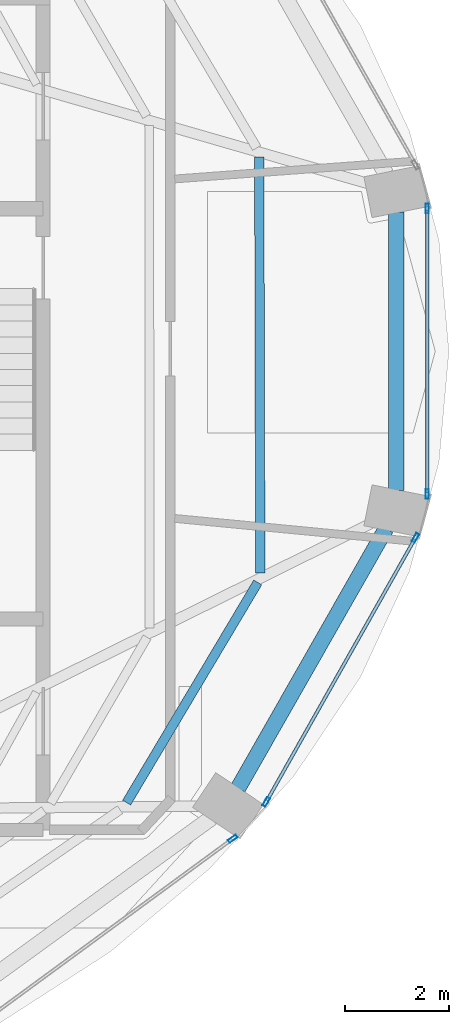
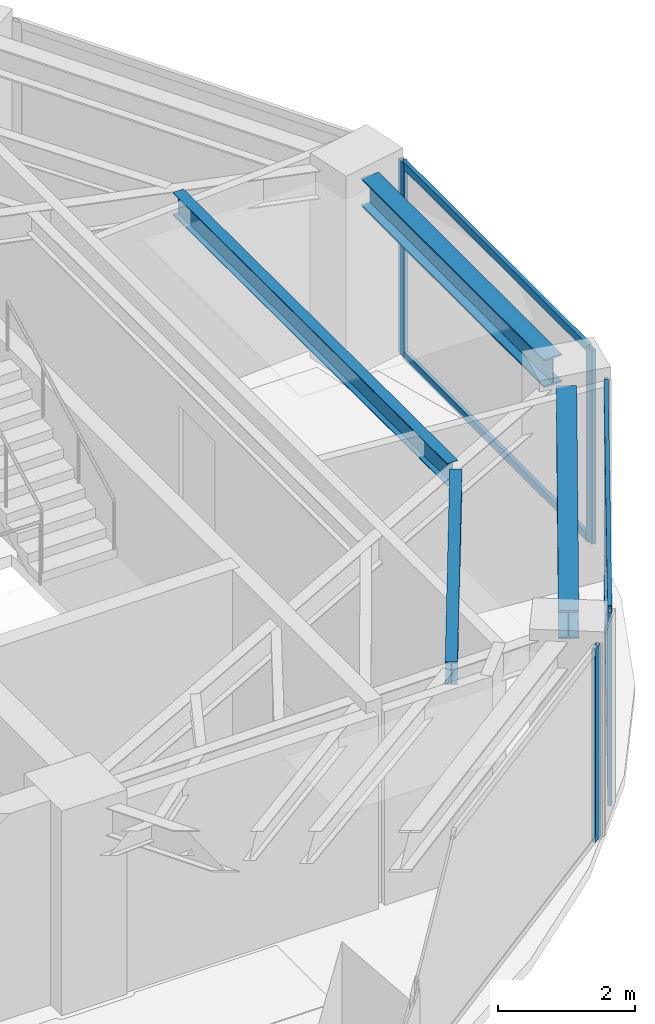
# One storey, part 7 of 15: 9 members, 4 beams, 3 elements without a shape of their own.
"""IFC4 building model written with IfcOpenShell, lengths in metres."""

from ifc_helpers import new_model, si_unit, direction, frame, origin, origin_2d, place, context, subcontext, project, spatial, hollow_rectangle, i_section, extrude, material, layer, layer_set, material_profile, profile_set, type_object, element, aggregate, save


model = new_model("IFC4")

# Units and contexts
model_context = context("Model", 3, precision=1e-05, world=origin(), true_north=direction((0.0, 1.0)))
body_context = subcontext(model_context, "Body", "Model", "MODEL_VIEW")
ifc_project = project(units=[si_unit("LENGTHUNIT", "METRE"), si_unit("AREAUNIT", "SQUARE_METRE"), si_unit("VOLUMEUNIT", "CUBIC_METRE"), si_unit("PLANEANGLEUNIT", "RADIAN"), si_unit("MASSUNIT", "GRAM", prefix="KILO")], contexts=[model_context])

# Site, building, storey
site_placement = place(None, origin())
site = spatial("IfcSite", under=ifc_project, at=site_placement, CompositionType="ELEMENT")
building_placement = place(site_placement, origin())
building = spatial("IfcBuilding", under=site, at=building_placement, Name="Lazwardi Medical Tower", CompositionType="ELEMENT")
storey_placement = place(building_placement, frame((0.0, 0.0, 280.56005859375)))
storey = spatial("IfcBuildingStorey", under=building, at=storey_placement, Name="L73", CompositionType="ELEMENT", Elevation=280.56005859375)

# Beams
ifc_material_1 = material(Name="Steel S355", Category="steel")
ifc_material_profile_1 = material_profile(ifc_material_1, i_section(OverallWidth=0.300048828125, OverallDepth=0.5, WebThickness=0.014404296875, FlangeThickness=0.028076171875, at=origin_2d()), Name="HEB 500")
ifc_profile_set_1 = profile_set([ifc_material_profile_1], Name="Steel S355")
beam_type_1 = type_object("IfcBeamType", Name="BM-RB-Z4", PredefinedType="BEAM", material=ifc_profile_set_1)
beam_1_placement = place(storey_placement, frame((54.15283203125, 20.81640625, 3.197998046875), z_axis=(0.495125273299, 0.868821594886, 0.0), x_axis=(-0.868821594886, 0.495125273299, 0.0)))
element("IfcBeam", 1, at=beam_1_placement, inside=storey, type_object=beam_type_1, Name="Ring beam RB-05 B03 L73", PredefinedType="BEAM", context=body_context, shape_type="SweptSolid", body=[
    extrude(i_section(OverallWidth=0.300048828125, OverallDepth=0.5, WebThickness=0.014404296875, FlangeThickness=0.028076171875, at=origin_2d()), origin(), (0.0, 0.0, 1.0), 5.734130859375),
])
beam_2_placement = place(storey_placement, frame((57.18505859375, 26.527099609375, 3.197998046875), z_axis=(0.0, 1.0, 0.0), x_axis=(-1.0, 0.0, 0.0)))
element("IfcBeam", 2, at=beam_2_placement, inside=storey, type_object=beam_type_1, Name="Ring beam RB-05 B04 L73", PredefinedType="BEAM", context=body_context, shape_type="SweptSolid", body=[
    extrude(i_section(OverallWidth=0.300048828125, OverallDepth=0.5, WebThickness=0.014404296875, FlangeThickness=0.028076171875, at=origin_2d()), origin(), (0.0, 0.0, 1.0), 5.345703125),
])
ifc_material_profile_2 = material_profile(ifc_material_1, i_section(OverallWidth=0.179931640625, OverallDepth=0.39990234375, WebThickness=0.008544921875, FlangeThickness=0.013427734375, at=origin_2d()), Name="IPE 400")
ifc_profile_set_2 = profile_set([ifc_material_profile_2], Name="Steel S355")
beam_type_2 = type_object("IfcBeamType", Name="BM-SJ-01", PredefinedType="JOIST", material=ifc_profile_set_2)
beam_3_placement = place(storey_placement, frame((52.015380859375, 20.54052734375, 3.248046875), z_axis=(0.511696806688, 0.859166094551, 0.0), x_axis=(-0.859166094551, 0.511696806688, 0.0)))
element("IfcBeam", 3, at=beam_3_placement, inside=storey, type_object=beam_type_2, Name="Secondary joist SJ-01 R1 B03 L73", PredefinedType="JOIST", context=body_context, shape_type="SweptSolid", body=[
    extrude(i_section(OverallWidth=0.179931640625, OverallDepth=0.39990234375, WebThickness=0.008544921875, FlangeThickness=0.013427734375, at=origin_2d()), origin(), (0.0, 0.0, 1.0), 4.917724609375),
])
beam_4_placement = place(storey_placement, frame((54.580078125, 24.942138671875, 3.248046875), z_axis=(-0.002538606287, 0.999996777734, 0.0), x_axis=(-0.999996777734, -0.002538606287, 0.0)))
element("IfcBeam", 4, at=beam_4_placement, inside=storey, type_object=beam_type_2, Name="Secondary joist SJ-01 R1 B04 L73", PredefinedType="JOIST", context=body_context, shape_type="SweptSolid", body=[
    extrude(i_section(OverallWidth=0.179931640625, OverallDepth=0.39990234375, WebThickness=0.008544921875, FlangeThickness=0.013427734375, at=origin_2d()), origin(), (0.0, 0.0, 1.0), 7.982177734375),
])

# Curtain wall, member
ifc_material_2 = material(Name="Anodised bronze aluminium and solar control glazing", Category="aluminium")
ifc_layer = layer(ifc_material_2, 0.18994140625)
ifc_layer_set = layer_set([ifc_layer], Name="Anodised bronze aluminium and solar control glazing")
curtain_wall_type = type_object("IfcCurtainWallType", Name="CW-SYS-04", PredefinedType="NOTDEFINED", material=ifc_layer_set)
curtain_wall_1_placement = place(storey_placement, origin())
curtain_wall_1 = element("IfcCurtainWall", 5, at=curtain_wall_1_placement, inside=storey, type_object=curtain_wall_type, Name="L73 Unitised bronze curtain wall CW-04", PredefinedType="NOTDEFINED")
ifc_material_3 = material(Name="Anodised bronze aluminium", Category="aluminium")
ifc_material_profile_3 = material_profile(ifc_material_3, hollow_rectangle(XDim=0.06494140625, YDim=0.179931640625, WallThickness=0.00390625, at=origin_2d()), Name="ALU-MULLION 180x65x4")
ifc_profile_set_3 = profile_set([ifc_material_profile_3], Name="Anodised bronze aluminium")
member_type_1 = type_object("IfcMemberType", Name="CW-MUL-03", PredefinedType="MULLION", material=ifc_profile_set_3)
member_1_placement = place(storey_placement, frame((54.052001953125, 19.848388671875, 0.0), z_axis=(0.0, 0.0, 1.0), x_axis=(-0.591268230971, 0.806474971121, 0.0)))
member_1 = element("IfcMember", 6, at=member_1_placement, type_object=member_type_1, Name="CW-04 mullion 2", PredefinedType="MULLION", context=body_context, shape_type="SweptSolid", body=[
    extrude(hollow_rectangle(XDim=0.06494140625, YDim=0.179931640625, WallThickness=0.00390625, at=origin_2d()), origin(), (0.0, 0.0, 1.0), 3.447998046875),
])
aggregate(curtain_wall_1, [member_1])

# Curtain wall, members
curtain_wall_2_placement = place(storey_placement, origin())
curtain_wall_2 = element("IfcCurtainWall", 7, at=curtain_wall_2_placement, inside=storey, type_object=curtain_wall_type, Name="L73 Unitised bronze curtain wall CW-04", PredefinedType="NOTDEFINED")
member_2_placement = place(storey_placement, frame((54.6943359375, 20.554443359375, 0.0), z_axis=(0.0, 0.0, 1.0), x_axis=(-0.870651436011, 0.491900474661, 0.0)))
member_2 = element("IfcMember", 8, at=member_2_placement, type_object=member_type_1, Name="CW-04 mullion 1", PredefinedType="MULLION", context=body_context, shape_type="SweptSolid", body=[
    extrude(hollow_rectangle(XDim=0.06494140625, YDim=0.179931640625, WallThickness=0.00390625, at=origin_2d()), origin(), (0.0, 0.0, 1.0), 3.447998046875),
])
member_3_placement = place(storey_placement, frame((57.557373046875, 25.621826171875, 0.0), z_axis=(0.0, 0.0, 1.0), x_axis=(-0.870651436011, 0.491900474661, 0.0)))
member_3 = element("IfcMember", 9, at=member_3_placement, type_object=member_type_1, Name="CW-04 mullion 2", PredefinedType="MULLION", context=body_context, shape_type="SweptSolid", body=[
    extrude(hollow_rectangle(XDim=0.06494140625, YDim=0.179931640625, WallThickness=0.00390625, at=origin_2d()), origin(), (0.0, 0.0, 1.0), 3.447998046875),
])

curtain_wall_3_placement = place(storey_placement, origin())
curtain_wall_3 = element("IfcCurtainWall", 10, at=curtain_wall_3_placement, inside=storey, type_object=curtain_wall_type, Name="L73 Unitised bronze curtain wall CW-04", PredefinedType="NOTDEFINED")
member_4_placement = place(storey_placement, frame((57.7841796875, 26.45947265625, 0.0), z_axis=(0.0, 0.0, 1.0), x_axis=(-1.0, 0.0, 0.0)))
member_4 = element("IfcMember", 11, at=member_4_placement, type_object=member_type_1, Name="CW-04 mullion 1", PredefinedType="MULLION", context=body_context, shape_type="SweptSolid", body=[
    extrude(hollow_rectangle(XDim=0.06494140625, YDim=0.179931640625, WallThickness=0.00390625, at=origin_2d()), origin(), (0.0, 0.0, 1.0), 3.447998046875),
])
member_5_placement = place(storey_placement, frame((57.7841796875, 31.9404296875, 0.0), z_axis=(0.0, 0.0, 1.0), x_axis=(-1.0, 0.0, 0.0)))
member_5 = element("IfcMember", 12, at=member_5_placement, type_object=member_type_1, Name="CW-04 mullion 2", PredefinedType="MULLION", context=body_context, shape_type="SweptSolid", body=[
    extrude(hollow_rectangle(XDim=0.06494140625, YDim=0.179931640625, WallThickness=0.00390625, at=origin_2d()), origin(), (0.0, 0.0, 1.0), 3.447998046875),
])

# Member
ifc_material_profile_4 = material_profile(ifc_material_3, hollow_rectangle(XDim=0.06494140625, YDim=0.139892578125, WallThickness=0.00341796875, at=origin_2d()), Name="ALU-TRANSOM 140x65x3.5")
ifc_profile_set_4 = profile_set([ifc_material_profile_4], Name="Anodised bronze aluminium")
member_type_2 = type_object("IfcMemberType", Name="CW-TRN-03", PredefinedType="USERDEFINED", material=ifc_profile_set_4)
member_6_placement = place(storey_placement, frame((54.71044921875, 20.582763671875, 0.032470703125), z_axis=(0.491879719484, 0.87066316194, 0.0), x_axis=(-0.87066316194, 0.491879719484, 0.0)))
member_6 = element("IfcMember", 13, at=member_6_placement, type_object=member_type_2, Name="CW-04 transom 1.1", ObjectType="TRANSOM", PredefinedType="USERDEFINED", context=body_context, shape_type="SweptSolid", body=[
    extrude(hollow_rectangle(XDim=0.06494140625, YDim=0.139892578125, WallThickness=0.00341796875, at=origin_2d()), origin(), (0.0, 0.0, 1.0), 5.755126953125),
])

member_7_placement = place(storey_placement, frame((54.71044921875, 20.582763671875, 3.41552734375), z_axis=(0.491879719484, 0.87066316194, 0.0), x_axis=(-0.87066316194, 0.491879719484, 0.0)))
member_7 = element("IfcMember", 14, at=member_7_placement, type_object=member_type_2, Name="CW-04 transom 1.2", ObjectType="TRANSOM", PredefinedType="USERDEFINED", context=body_context, shape_type="SweptSolid", body=[
    extrude(hollow_rectangle(XDim=0.06494140625, YDim=0.139892578125, WallThickness=0.00341796875, at=origin_2d()), origin(), (0.0, 0.0, 1.0), 5.755126953125),
])

aggregate(curtain_wall_2, [member_2, member_3, member_6, member_7])

member_8_placement = place(storey_placement, frame((57.7841796875, 26.491943359375, 0.032470703125), z_axis=(0.0, 1.0, 0.0), x_axis=(-1.0, 0.0, 0.0)))
member_8 = element("IfcMember", 15, at=member_8_placement, type_object=member_type_2, Name="CW-04 transom 1.1", ObjectType="TRANSOM", PredefinedType="USERDEFINED", context=body_context, shape_type="SweptSolid", body=[
    extrude(hollow_rectangle(XDim=0.06494140625, YDim=0.139892578125, WallThickness=0.00341796875, at=origin_2d()), origin(), (0.0, 0.0, 1.0), 5.416015625),
])

member_9_placement = place(storey_placement, frame((57.7841796875, 26.491943359375, 3.41552734375), z_axis=(0.0, 1.0, 0.0), x_axis=(-1.0, 0.0, 0.0)))
member_9 = element("IfcMember", 16, at=member_9_placement, type_object=member_type_2, Name="CW-04 transom 1.2", ObjectType="TRANSOM", PredefinedType="USERDEFINED", context=body_context, shape_type="SweptSolid", body=[
    extrude(hollow_rectangle(XDim=0.06494140625, YDim=0.139892578125, WallThickness=0.00341796875, at=origin_2d()), origin(), (0.0, 0.0, 1.0), 5.416015625),
])

aggregate(curtain_wall_3, [member_4, member_5, member_8, member_9])

save(model, "model.ifc")
